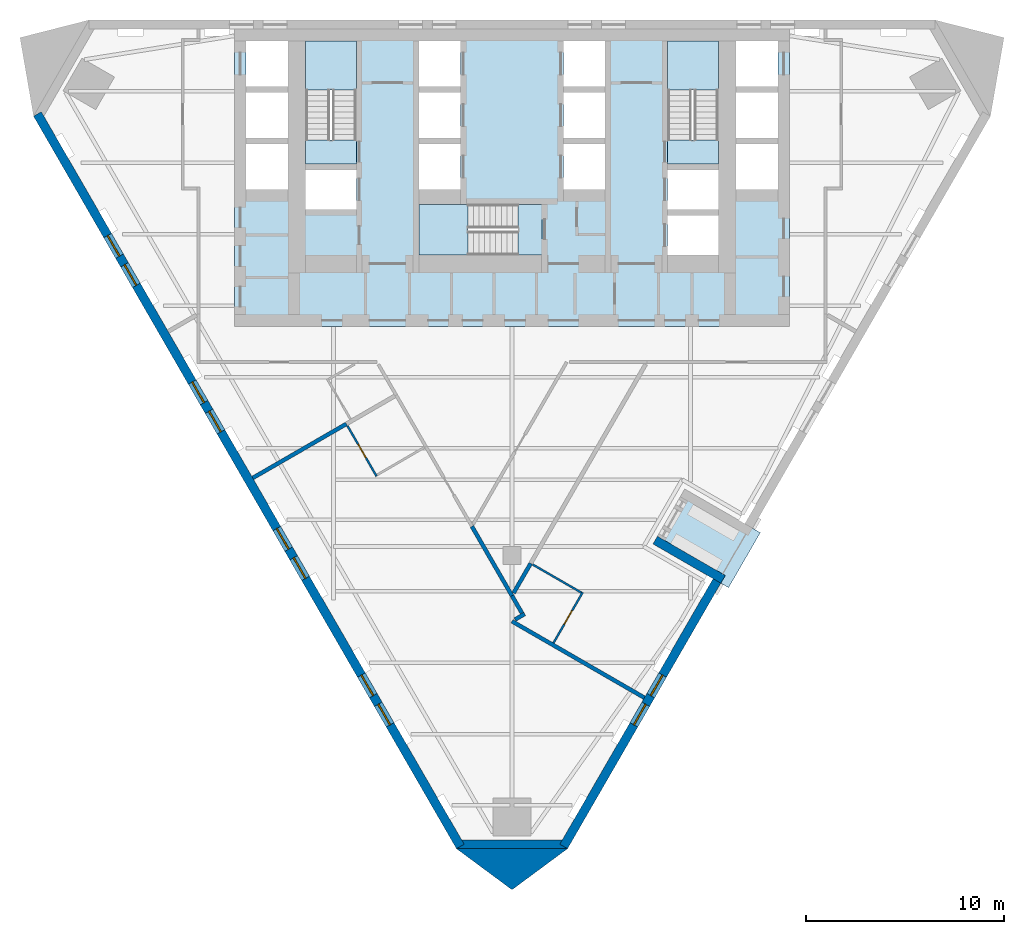
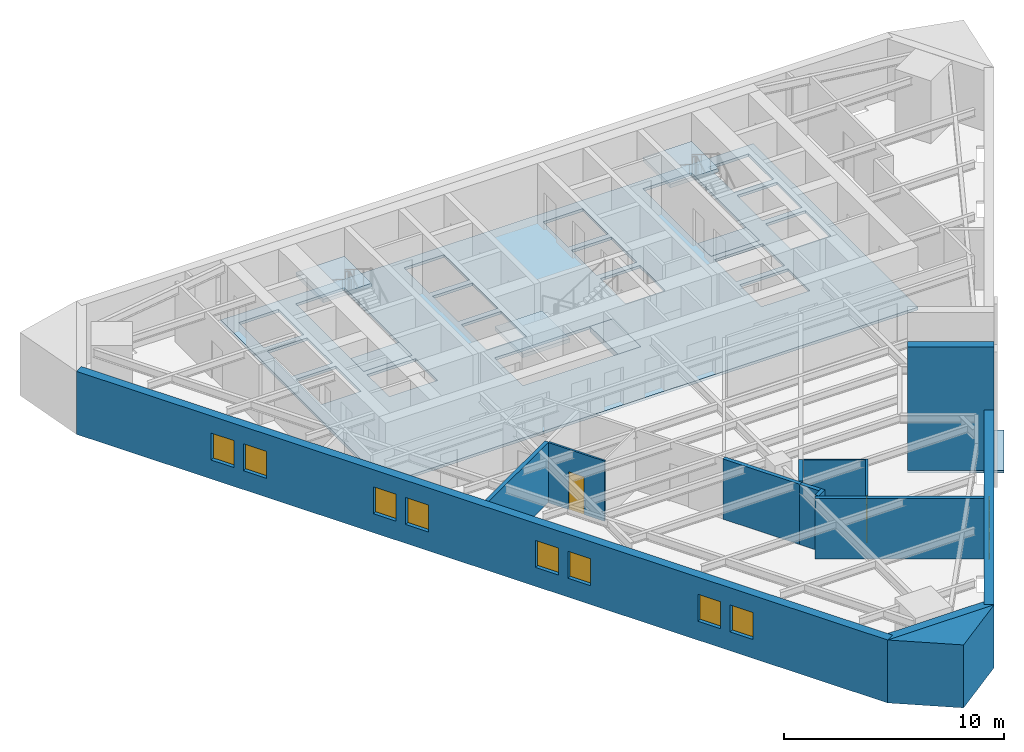
# One storey, part 2 of 7: 14 walls, 10 windows, 8 slabs, 2 doors, 12 openings, 3 elements without a shape of their own.
"""IFC4 building model written with IfcOpenShell, lengths in metres."""

from ifc_helpers import new_model, si_unit, direction, frame, frame_2d, origin, place, context, subcontext, project, spatial, polyline, rectangle, outline, extrude, material, layer, layer_set, type_object, element, fill, aggregate, save


model = new_model("IFC4")

# Units and contexts
model_context = context("Model", 3, precision=1e-05, world=origin(), true_north=direction((0.0, 1.0)))
body_context = subcontext(model_context, "Body", "Model", "MODEL_VIEW")
ifc_project = project(units=[si_unit("LENGTHUNIT", "METRE"), si_unit("AREAUNIT", "SQUARE_METRE"), si_unit("VOLUMEUNIT", "CUBIC_METRE"), si_unit("PLANEANGLEUNIT", "RADIAN"), si_unit("MASSUNIT", "GRAM", prefix="KILO")], contexts=[model_context])

# Site, building, storey
site_placement = place(None, origin())
site = spatial("IfcSite", under=ifc_project, at=site_placement, CompositionType="ELEMENT")
building_placement = place(site_placement, origin())
building = spatial("IfcBuilding", under=site, at=building_placement, Name="Aloe Facet Convention Tower", CompositionType="ELEMENT")
storey_placement = place(building_placement, frame((0.0, 0.0, 113.300048828125)))
storey = spatial("IfcBuildingStorey", under=building, at=storey_placement, Name="L28", CompositionType="ELEMENT", Elevation=113.300048828125)

# Slabs
ifc_material_1 = material(Name="Concrete C70/85", Category="concrete")
ifc_layer_1 = layer(ifc_material_1, 0.14990234375)
ifc_layer_set_1 = layer_set([ifc_layer_1], Name="CR-S-FLOOR150-C7085")
slab_type_1 = type_object("IfcSlabType", Name="CR-S-FLOOR150-C7085", PredefinedType="FLOOR", material=ifc_layer_set_1)
slab_1_placement = place(storey_placement, frame((0.0, 0.0, -0.150146484375)))
element("IfcSlab", 1, at=slab_1_placement, inside=storey, type_object=slab_type_1, Name="Core floor L28", PredefinedType="FLOOR", context=body_context, shape_type="SweptSolid", body=[
    extrude(outline(polyline([(69.300048828125, 134.550048828125), (71.85009765625, 134.550048828125), (72.75, 134.550048828125), (74.699951171875, 134.550048828125), (75.60009765625, 134.550048828125), (77.10009765625, 134.550048828125), (78.0, 134.550048828125), (82.0, 134.550048828125), (82.89990234375, 134.550048828125), (84.39990234375, 134.550048828125), (85.300048828125, 134.550048828125), (87.25, 134.550048828125), (88.14990234375, 134.550048828125), (90.699951171875, 134.550048828125), (91.0, 134.550048828125), (94.0, 134.550048828125), (94.0, 131.949951171875), (94.0, 131.050048828125), (94.0, 129.35009765625), (94.0, 128.449951171875), (94.0, 126.449951171875), (94.0, 125.85009765625), (94.0, 123.57373046875), (94.0, 122.523681640625), (94.0, 119.550048828125), (91.300048828125, 119.550048828125), (90.699951171875, 119.550048828125), (89.60009765625, 119.550048828125), (88.550048828125, 119.550048828125), (87.89990234375, 119.550048828125), (86.85009765625, 119.550048828125), (85.699951171875, 119.550048828125), (84.64990234375, 119.550048828125), (83.699951171875, 119.550048828125), (82.64990234375, 119.550048828125), (81.75, 119.550048828125), (80.699951171875, 119.550048828125), (79.61669921875, 119.550048828125), (78.566650390625, 119.550048828125), (77.4833984375, 119.550048828125), (76.433349609375, 119.550048828125), (75.35009765625, 119.550048828125), (74.300048828125, 119.550048828125), (73.14990234375, 119.550048828125), (72.10009765625, 119.550048828125), (69.300048828125, 119.550048828125), (68.699951171875, 119.550048828125), (66.0, 119.550048828125), (66.0, 121.5), (66.0, 122.550048828125), (66.0, 123.639404296875), (66.0, 124.689453125), (66.0, 125.85009765625), (66.0, 126.449951171875), (66.0, 128.449951171875), (66.0, 129.35009765625), (66.0, 131.050048828125), (66.0, 131.949951171875), (66.0, 134.550048828125), (69.0, 134.550048828125), (69.300048828125, 134.550048828125)]), holes=[polyline([(75.300048828125, 123.14990234375), (80.298828125, 123.14990234375), (81.5, 123.14990234375), (81.5, 125.699951171875), (80.298828125, 125.699951171875), (75.300048828125, 125.699951171875), (75.300048828125, 123.14990234375)]), polyline([(69.60009765625, 125.449951171875), (72.14990234375, 125.449951171875), (72.14990234375, 127.449951171875), (69.60009765625, 127.449951171875), (69.60009765625, 125.449951171875)]), polyline([(66.60009765625, 126.449951171875), (68.699951171875, 126.449951171875), (68.699951171875, 128.75), (66.60009765625, 128.75), (66.60009765625, 126.449951171875)]), polyline([(75.300048828125, 126.449951171875), (77.39990234375, 126.449951171875), (77.39990234375, 128.75), (75.300048828125, 128.75), (75.300048828125, 126.449951171875)]), polyline([(66.60009765625, 129.050048828125), (68.699951171875, 129.050048828125), (68.699951171875, 131.35009765625), (66.60009765625, 131.35009765625), (66.60009765625, 129.050048828125)]), polyline([(75.300048828125, 129.050048828125), (77.39990234375, 129.050048828125), (77.39990234375, 131.35009765625), (75.300048828125, 131.35009765625), (75.300048828125, 129.050048828125)]), polyline([(69.60009765625, 133.949951171875), (69.60009765625, 128.951171875), (69.60009765625, 127.75), (72.14990234375, 127.75), (72.14990234375, 128.951171875), (72.14990234375, 133.949951171875), (69.60009765625, 133.949951171875)]), polyline([(66.60009765625, 133.949951171875), (66.60009765625, 131.64990234375), (68.699951171875, 131.64990234375), (68.699951171875, 133.949951171875), (66.60009765625, 133.949951171875)]), polyline([(75.300048828125, 133.949951171875), (75.300048828125, 131.64990234375), (77.39990234375, 131.64990234375), (77.39990234375, 133.949951171875), (75.300048828125, 133.949951171875)]), polyline([(87.85009765625, 123.14990234375), (90.39990234375, 123.14990234375), (90.39990234375, 125.14990234375), (87.85009765625, 125.14990234375), (87.85009765625, 123.14990234375)]), polyline([(87.85009765625, 125.449951171875), (90.39990234375, 125.449951171875), (90.39990234375, 127.449951171875), (87.85009765625, 127.449951171875), (87.85009765625, 125.449951171875)]), polyline([(82.60009765625, 126.449951171875), (84.699951171875, 126.449951171875), (84.699951171875, 128.75), (82.60009765625, 128.75), (82.60009765625, 126.449951171875)]), polyline([(91.300048828125, 126.449951171875), (93.39990234375, 126.449951171875), (93.39990234375, 128.75), (91.300048828125, 128.75), (91.300048828125, 126.449951171875)]), polyline([(82.60009765625, 129.050048828125), (84.699951171875, 129.050048828125), (84.699951171875, 131.35009765625), (82.60009765625, 131.35009765625), (82.60009765625, 129.050048828125)]), polyline([(91.300048828125, 129.050048828125), (93.39990234375, 129.050048828125), (93.39990234375, 131.35009765625), (91.300048828125, 131.35009765625), (91.300048828125, 129.050048828125)]), polyline([(87.85009765625, 133.949951171875), (87.85009765625, 128.951171875), (87.85009765625, 127.75), (90.39990234375, 127.75), (90.39990234375, 128.951171875), (90.39990234375, 133.949951171875), (87.85009765625, 133.949951171875)]), polyline([(82.60009765625, 133.949951171875), (82.60009765625, 131.64990234375), (84.699951171875, 131.64990234375), (84.699951171875, 133.949951171875), (82.60009765625, 133.949951171875)]), polyline([(91.300048828125, 133.949951171875), (91.300048828125, 131.64990234375), (93.39990234375, 131.64990234375), (93.39990234375, 133.949951171875), (91.300048828125, 133.949951171875)])]), origin(), (0.0, 0.0, 1.0), 0.150146484375),
])
ifc_material_2 = material(Name="Concrete C70/85", Category="concrete")
ifc_layer_2 = layer(ifc_material_2, 0.300048828125)
ifc_layer_set_2 = layer_set([ifc_layer_2], Name="CR-S-FLOOR300-C7085")
slab_type_2 = type_object("IfcSlabType", Name="CR-S-FLOOR300-C7085", PredefinedType="FLOOR", material=ifc_layer_set_2)
slab_2_placement = place(storey_placement, frame((0.0, 0.0, -0.300048828125)))
element("IfcSlab", 2, at=slab_2_placement, inside=storey, type_object=slab_type_2, Name="Stair landing floor L28", PredefinedType="FLOOR", context=body_context, shape_type="SweptSolid", body=[
    extrude(outline(polyline([(72.14990234375, 127.75), (72.14990234375, 128.951171875), (69.60009765625, 128.951171875), (69.60009765625, 127.75), (72.14990234375, 127.75)])), origin(), (0.0, 0.0, 1.0), 0.300048828125),
])
slab_3_placement = place(storey_placement, frame((0.0, 0.0, -0.300048828125)))
element("IfcSlab", 3, at=slab_3_placement, inside=storey, type_object=slab_type_2, Name="Stair landing floor L28", PredefinedType="FLOOR", context=body_context, shape_type="SweptSolid", body=[
    extrude(outline(polyline([(90.39990234375, 127.75), (90.39990234375, 128.951171875), (87.85009765625, 128.951171875), (87.85009765625, 127.75), (90.39990234375, 127.75)])), origin(), (0.0, 0.0, 1.0), 0.300048828125),
])
slab_4_placement = place(storey_placement, frame((0.0, 0.0, -0.300048828125)))
element("IfcSlab", 4, at=slab_4_placement, inside=storey, type_object=slab_type_2, Name="Stair landing floor L28", PredefinedType="FLOOR", context=body_context, shape_type="SweptSolid", body=[
    extrude(outline(polyline([(81.5, 125.699951171875), (80.298828125, 125.699951171875), (80.298828125, 123.14990234375), (81.5, 123.14990234375), (81.5, 125.699951171875)])), origin(), (0.0, 0.0, 1.0), 0.300048828125),
])

# Stair, slab
ifc_material_3 = material(Name="Concrete C50/60", Category="concrete")
stair_type = type_object("IfcStairType", Name="CR-ST-20R", PredefinedType="HALF_TURN_STAIR", material=ifc_material_3)
stair_1_placement = place(storey_placement, origin())
stair_1 = element("IfcStair", 5, at=stair_1_placement, inside=storey, type_object=stair_type, Name="L28 Protected exit stair ST1", PredefinedType="HALF_TURN_STAIR")
ifc_material_4 = material(Name="Concrete C50/60", Category="concrete")
ifc_layer_3 = layer(ifc_material_4, 0.199951171875)
ifc_layer_set_3 = layer_set([ifc_layer_3], Name="CR-SL-LANDING")
slab_type_3 = type_object("IfcSlabType", Name="CR-SL-LANDING", PredefinedType="LANDING", material=ifc_layer_set_3)
slab_5_placement = place(storey_placement, frame((0.0, 0.0, 1.550048828125)))
slab_5 = element("IfcSlab", 6, at=slab_5_placement, type_object=slab_type_3, Name="ST1 landing 1", PredefinedType="LANDING", context=body_context, shape_type="SweptSolid", body=[
    extrude(outline(polyline([(72.14990234375, 131.469970703125), (72.14990234375, 133.949951171875), (69.60009765625, 133.949951171875), (69.60009765625, 131.469970703125), (72.14990234375, 131.469970703125)])), origin(), (0.0, 0.0, 1.0), 0.199951171875),
])
aggregate(stair_1, [slab_5])

stair_2_placement = place(storey_placement, origin())
stair_2 = element("IfcStair", 7, at=stair_2_placement, inside=storey, type_object=stair_type, Name="L28 Protected exit stair ST2", PredefinedType="HALF_TURN_STAIR")
slab_6_placement = place(storey_placement, frame((0.0, 0.0, 1.550048828125)))
slab_6 = element("IfcSlab", 8, at=slab_6_placement, type_object=slab_type_3, Name="ST2 landing 1", PredefinedType="LANDING", context=body_context, shape_type="SweptSolid", body=[
    extrude(outline(polyline([(90.39990234375, 131.469970703125), (90.39990234375, 133.949951171875), (87.85009765625, 133.949951171875), (87.85009765625, 131.469970703125), (90.39990234375, 131.469970703125)])), origin(), (0.0, 0.0, 1.0), 0.199951171875),
])
aggregate(stair_2, [slab_6])

stair_3_placement = place(storey_placement, origin())
stair_3 = element("IfcStair", 9, at=stair_3_placement, inside=storey, type_object=stair_type, Name="L28 Protected exit stair ST3", PredefinedType="HALF_TURN_STAIR")
slab_7_placement = place(storey_placement, frame((0.0, 0.0, 1.550048828125)))
slab_7 = element("IfcSlab", 10, at=slab_7_placement, type_object=slab_type_3, Name="ST3 landing 1", PredefinedType="LANDING", context=body_context, shape_type="SweptSolid", body=[
    extrude(outline(polyline([(77.780029296875, 125.699951171875), (75.300048828125, 125.699951171875), (75.300048828125, 123.14990234375), (77.780029296875, 123.14990234375), (77.780029296875, 125.699951171875)])), origin(), (0.0, 0.0, 1.0), 0.199951171875),
])
aggregate(stair_3, [slab_7])

# Slab
ifc_material_5 = material(Name="Concrete C35/45", Category="concrete")
ifc_layer_4 = layer(ifc_material_5, 0.14990234375)
ifc_layer_set_4 = layer_set([ifc_layer_4], Name="SF-TS-150")
slab_type_4 = type_object("IfcSlabType", Name="SF-TS-150", PredefinedType="FLOOR", material=ifc_layer_set_4)
slab_8_placement = place(storey_placement, frame((0.0, 0.0, -0.150146484375)))
element("IfcSlab", 11, at=slab_8_placement, inside=storey, type_object=slab_type_4, Name="Terrace slab T06", PredefinedType="FLOOR", context=body_context, shape_type="SweptSolid", body=[
    extrude(outline(polyline([(90.918212890625, 106.381591796875), (87.10791015625, 108.58154296875), (88.707763671875, 111.352783203125), (92.518310546875, 109.15283203125), (90.918212890625, 106.381591796875)])), origin(), (0.0, 0.0, 1.0), 0.150146484375),
])

# Walls
ifc_material_6 = material(Name="Precast concrete C40/50", Category="concrete")
ifc_layer_5 = layer(ifc_material_6, 0.449951171875)
ifc_layer_set_5 = layer_set([ifc_layer_5], Name="EV-WALL-PIER")
wall_type_1 = type_object("IfcWallType", Name="EV-WALL-PIER", PredefinedType="SOLIDWALL", material=ifc_layer_set_5)
wall_1_placement = place(storey_placement, frame((0.0, 0.0, -0.150146484375)))
element("IfcWall", 12, at=wall_1_placement, inside=storey, type_object=wall_type_1, Name="EP-L28-B", PredefinedType="SOLIDWALL", context=body_context, shape_type="SweptSolid", body=[
    extrude(outline(polyline([(77.199951171875, 93.22021484375), (77.589599609375, 93.4453125), (77.459716796875, 93.670166015625), (82.540283203125, 93.670166015625), (82.410400390625, 93.4453125), (82.800048828125, 93.22021484375), (77.199951171875, 93.22021484375)])), origin(), (0.0, 0.0, 1.0), 3.5),
])
ifc_material_7 = material(Name="Precast concrete C40/50", Category="concrete")
ifc_layer_6 = layer(ifc_material_7, 3.947998046875)
ifc_layer_set_6 = layer_set([ifc_layer_6], Name="EV-WALL-SPINE")
wall_type_2 = type_object("IfcWallType", Name="EV-WALL-SPINE", PredefinedType="SOLIDWALL", material=ifc_layer_set_6)
wall_2_placement = place(storey_placement, frame((0.0, 0.0, -0.150146484375)))
element("IfcWall", 13, at=wall_2_placement, inside=storey, type_object=wall_type_2, Name="SP-S-L28", PredefinedType="SOLIDWALL", context=body_context, shape_type="SweptSolid", body=[
    extrude(outline(polyline([(77.199951171875, 93.22021484375), (80.0, 91.1484375), (82.800048828125, 93.22021484375), (77.199951171875, 93.22021484375)])), origin(), (0.0, 0.0, 1.0), 3.5),
])

# Wall, openings, windows
ifc_material_8 = material(Name="Precast concrete C40/50", Category="concrete")
ifc_layer_7 = layer(ifc_material_8, 0.449951171875)
ifc_layer_set_7 = layer_set([ifc_layer_7], Name="EV-WALL-STONE")
wall_type_3 = type_object("IfcWallType", Name="EV-WALL-STONE", PredefinedType="SOLIDWALL", material=ifc_layer_set_7)
wall_3_placement = place(storey_placement, frame((56.0732421875, 130.2626953125, -0.150146484375), z_axis=(0.0, 0.0, 1.0), x_axis=(0.500000478905, -0.866025127289, 0.0)))
wall_3 = element("IfcWall", 14, at=wall_3_placement, inside=storey, type_object=wall_type_3, Name="EW-L28-W01", PredefinedType="SOLIDWALL", context=body_context, shape_type="SweptSolid", body=[
    extrude(outline(polyline([(42.64306640625, 0.0), (42.64306640625, 3.5), (0.0, 3.5), (0.0, 0.0), (42.64306640625, 0.0)])), frame((0.0, 0.22509765625, 0.0), z_axis=(0.0, -1.0, 0.0), x_axis=(1.0, 0.0, 0.0)), (0.0, 0.0, 1.0), 0.449951171875),
])
opening_1_placement = place(wall_3_placement, frame((7.07861328125, 0.0, 1.050048828125)))
opening_1 = element("IfcOpeningElement", 15, at=opening_1_placement, cuts=wall_3, Name="Opening W-L28-W01", PredefinedType="OPENING", context=body_context, shape_type="SweptSolid", body=[
    extrude(rectangle(XDim=1.199951171875, YDim=1.5, at=frame_2d((0.60009765625, 0.75))), frame((0.0, 0.23486328125, 0.0), z_axis=(0.0, -1.0, 0.0), x_axis=(1.0, 0.0, 0.0)), (0.0, 0.0, 1.0), 0.469970703125),
])
opening_2_placement = place(wall_3_placement, frame((8.778564453125, 0.0, 1.050048828125)))
opening_2 = element("IfcOpeningElement", 16, at=opening_2_placement, cuts=wall_3, Name="Opening W-L28-W02", PredefinedType="OPENING", context=body_context, shape_type="SweptSolid", body=[
    extrude(rectangle(XDim=1.199951171875, YDim=1.5, at=frame_2d((0.60009765625, 0.75))), frame((0.0, 0.23486328125, 0.0), z_axis=(0.0, -1.0, 0.0), x_axis=(1.0, 0.0, 0.0)), (0.0, 0.0, 1.0), 0.469970703125),
])
opening_3_placement = place(wall_3_placement, frame((15.607177734375, 0.0, 1.050048828125)))
opening_3 = element("IfcOpeningElement", 17, at=opening_3_placement, cuts=wall_3, Name="Opening W-L28-W03", PredefinedType="OPENING", context=body_context, shape_type="SweptSolid", body=[
    extrude(rectangle(XDim=1.199951171875, YDim=1.5, at=frame_2d((0.60009765625, 0.75))), frame((0.0, 0.23486328125, 0.0), z_axis=(0.0, -1.0, 0.0), x_axis=(1.0, 0.0, 0.0)), (0.0, 0.0, 1.0), 0.469970703125),
])
opening_4_placement = place(wall_3_placement, frame((17.30712890625, 0.0, 1.050048828125)))
opening_4 = element("IfcOpeningElement", 18, at=opening_4_placement, cuts=wall_3, Name="Opening W-L28-W04", PredefinedType="OPENING", context=body_context, shape_type="SweptSolid", body=[
    extrude(rectangle(XDim=1.199951171875, YDim=1.5, at=frame_2d((0.60009765625, 0.75))), frame((0.0, 0.23486328125, 0.0), z_axis=(0.0, -1.0, 0.0), x_axis=(1.0, 0.0, 0.0)), (0.0, 0.0, 1.0), 0.469970703125),
])
opening_5_placement = place(wall_3_placement, frame((24.1357421875, 0.0, 1.050048828125)))
opening_5 = element("IfcOpeningElement", 19, at=opening_5_placement, cuts=wall_3, Name="Opening W-L28-W05", PredefinedType="OPENING", context=body_context, shape_type="SweptSolid", body=[
    extrude(rectangle(XDim=1.199951171875, YDim=1.5, at=frame_2d((0.60009765625, 0.75))), frame((0.0, 0.23486328125, 0.0), z_axis=(0.0, -1.0, 0.0), x_axis=(1.0, 0.0, 0.0)), (0.0, 0.0, 1.0), 0.469970703125),
])
opening_6_placement = place(wall_3_placement, frame((25.8359375, 0.0, 1.050048828125)))
opening_6 = element("IfcOpeningElement", 20, at=opening_6_placement, cuts=wall_3, Name="Opening W-L28-W06", PredefinedType="OPENING", context=body_context, shape_type="SweptSolid", body=[
    extrude(rectangle(XDim=1.199951171875, YDim=1.5, at=frame_2d((0.60009765625, 0.75))), frame((0.0, 0.23486328125, 0.0), z_axis=(0.0, -1.0, 0.0), x_axis=(1.0, 0.0, 0.0)), (0.0, 0.0, 1.0), 0.469970703125),
])
opening_7_placement = place(wall_3_placement, frame((32.66455078125, 0.0, 1.050048828125)))
opening_7 = element("IfcOpeningElement", 21, at=opening_7_placement, cuts=wall_3, Name="Opening W-L28-W07", PredefinedType="OPENING", context=body_context, shape_type="SweptSolid", body=[
    extrude(rectangle(XDim=1.199951171875, YDim=1.5, at=frame_2d((0.60009765625, 0.75))), frame((0.0, 0.23486328125, 0.0), z_axis=(0.0, -1.0, 0.0), x_axis=(1.0, 0.0, 0.0)), (0.0, 0.0, 1.0), 0.469970703125),
])
opening_8_placement = place(wall_3_placement, frame((34.364501953125, 0.0, 1.050048828125)))
opening_8 = element("IfcOpeningElement", 22, at=opening_8_placement, cuts=wall_3, Name="Opening W-L28-W08", PredefinedType="OPENING", context=body_context, shape_type="SweptSolid", body=[
    extrude(rectangle(XDim=1.199951171875, YDim=1.5, at=frame_2d((0.60009765625, 0.75))), frame((0.0, 0.23486328125, 0.0), z_axis=(0.0, -1.0, 0.0), x_axis=(1.0, 0.0, 0.0)), (0.0, 0.0, 1.0), 0.469970703125),
])
ifc_material_9 = material(Name="Aluminium frame, clear double glazing", Category="aluminium")
window_type = type_object("IfcWindowType", Name="EV-WIN-H12", PartitioningType="SINGLE_PANEL", PredefinedType="WINDOW", material=ifc_material_9)
window_1_placement = place(opening_1_placement, origin())
window_1 = element("IfcWindow", 23, at=window_1_placement, inside=storey, type_object=window_type, Name="W-L28-W01", OverallHeight=1.5, OverallWidth=1.199951171875, PartitioningType="SINGLE_PANEL", PredefinedType="WINDOW", context=body_context, shape_type="SweptSolid", body=[
    extrude(rectangle(XDim=1.199951171875, YDim=1.5, at=frame_2d((0.60009765625, 0.75))), frame((0.0, 0.030029296875, 0.0), z_axis=(0.0, -1.0, 0.0), x_axis=(1.0, 0.0, 0.0)), (0.0, 0.0, 1.0), 0.06005859375),
])
fill(opening_1, window_1)
window_2_placement = place(opening_2_placement, origin())
window_2 = element("IfcWindow", 24, at=window_2_placement, inside=storey, type_object=window_type, Name="W-L28-W02", OverallHeight=1.5, OverallWidth=1.199951171875, PartitioningType="SINGLE_PANEL", PredefinedType="WINDOW", context=body_context, shape_type="SweptSolid", body=[
    extrude(rectangle(XDim=1.199951171875, YDim=1.5, at=frame_2d((0.60009765625, 0.75))), frame((0.0, 0.030029296875, 0.0), z_axis=(0.0, -1.0, 0.0), x_axis=(1.0, 0.0, 0.0)), (0.0, 0.0, 1.0), 0.06005859375),
])
fill(opening_2, window_2)
window_3_placement = place(opening_3_placement, origin())
window_3 = element("IfcWindow", 25, at=window_3_placement, inside=storey, type_object=window_type, Name="W-L28-W03", OverallHeight=1.5, OverallWidth=1.199951171875, PartitioningType="SINGLE_PANEL", PredefinedType="WINDOW", context=body_context, shape_type="SweptSolid", body=[
    extrude(rectangle(XDim=1.199951171875, YDim=1.5, at=frame_2d((0.60009765625, 0.75))), frame((0.0, 0.030029296875, 0.0), z_axis=(0.0, -1.0, 0.0), x_axis=(1.0, 0.0, 0.0)), (0.0, 0.0, 1.0), 0.06005859375),
])
fill(opening_3, window_3)
window_4_placement = place(opening_4_placement, origin())
window_4 = element("IfcWindow", 26, at=window_4_placement, inside=storey, type_object=window_type, Name="W-L28-W04", OverallHeight=1.5, OverallWidth=1.199951171875, PartitioningType="SINGLE_PANEL", PredefinedType="WINDOW", context=body_context, shape_type="SweptSolid", body=[
    extrude(rectangle(XDim=1.199951171875, YDim=1.5, at=frame_2d((0.60009765625, 0.75))), frame((0.0, 0.030029296875, 0.0), z_axis=(0.0, -1.0, 0.0), x_axis=(1.0, 0.0, 0.0)), (0.0, 0.0, 1.0), 0.06005859375),
])
fill(opening_4, window_4)
window_5_placement = place(opening_5_placement, origin())
window_5 = element("IfcWindow", 27, at=window_5_placement, inside=storey, type_object=window_type, Name="W-L28-W05", OverallHeight=1.5, OverallWidth=1.199951171875, PartitioningType="SINGLE_PANEL", PredefinedType="WINDOW", context=body_context, shape_type="SweptSolid", body=[
    extrude(rectangle(XDim=1.199951171875, YDim=1.5, at=frame_2d((0.60009765625, 0.75))), frame((0.0, 0.030029296875, 0.0), z_axis=(0.0, -1.0, 0.0), x_axis=(1.0, 0.0, 0.0)), (0.0, 0.0, 1.0), 0.06005859375),
])
fill(opening_5, window_5)
window_6_placement = place(opening_6_placement, origin())
window_6 = element("IfcWindow", 28, at=window_6_placement, inside=storey, type_object=window_type, Name="W-L28-W06", OverallHeight=1.5, OverallWidth=1.199951171875, PartitioningType="SINGLE_PANEL", PredefinedType="WINDOW", context=body_context, shape_type="SweptSolid", body=[
    extrude(rectangle(XDim=1.199951171875, YDim=1.5, at=frame_2d((0.60009765625, 0.75))), frame((0.0, 0.030029296875, 0.0), z_axis=(0.0, -1.0, 0.0), x_axis=(1.0, 0.0, 0.0)), (0.0, 0.0, 1.0), 0.06005859375),
])
fill(opening_6, window_6)
window_7_placement = place(opening_7_placement, origin())
window_7 = element("IfcWindow", 29, at=window_7_placement, inside=storey, type_object=window_type, Name="W-L28-W07", OverallHeight=1.5, OverallWidth=1.199951171875, PartitioningType="SINGLE_PANEL", PredefinedType="WINDOW", context=body_context, shape_type="SweptSolid", body=[
    extrude(rectangle(XDim=1.199951171875, YDim=1.5, at=frame_2d((0.60009765625, 0.75))), frame((0.0, 0.030029296875, 0.0), z_axis=(0.0, -1.0, 0.0), x_axis=(1.0, 0.0, 0.0)), (0.0, 0.0, 1.0), 0.06005859375),
])
fill(opening_7, window_7)
window_8_placement = place(opening_8_placement, origin())
window_8 = element("IfcWindow", 30, at=window_8_placement, inside=storey, type_object=window_type, Name="W-L28-W08", OverallHeight=1.5, OverallWidth=1.199951171875, PartitioningType="SINGLE_PANEL", PredefinedType="WINDOW", context=body_context, shape_type="SweptSolid", body=[
    extrude(rectangle(XDim=1.199951171875, YDim=1.5, at=frame_2d((0.60009765625, 0.75))), frame((0.0, 0.030029296875, 0.0), z_axis=(0.0, -1.0, 0.0), x_axis=(1.0, 0.0, 0.0)), (0.0, 0.0, 1.0), 0.06005859375),
])
fill(opening_8, window_8)

wall_4_placement = place(storey_placement, frame((82.605224609375, 93.332763671875, -0.150146484375), z_axis=(0.0, 0.0, 1.0), x_axis=(0.499991795389, 0.866030140667, 0.0)))
wall_4 = element("IfcWall", 31, at=wall_4_placement, inside=storey, type_object=wall_type_3, Name="EW-L28-E01", PredefinedType="SOLIDWALL", context=body_context, shape_type="SweptSolid", body=[
    extrude(outline(polyline([(0.0, 0.0), (0.0, 3.5), (15.457275390625, 3.5), (15.457275390625, 0.0), (0.0, 0.0)])), frame((0.0, 0.22509765625, 0.0), z_axis=(0.0, -1.0, 0.0), x_axis=(1.0, 0.0, 0.0)), (0.0, 0.0, 1.0), 0.449951171875),
])
opening_9_placement = place(wall_4_placement, frame((7.07861328125, 0.0, 1.050048828125)))
opening_9 = element("IfcOpeningElement", 32, at=opening_9_placement, cuts=wall_4, Name="Opening W-L28-E01", PredefinedType="OPENING", context=body_context, shape_type="SweptSolid", body=[
    extrude(rectangle(XDim=1.199951171875, YDim=1.5, at=frame_2d((0.60009765625, 0.75))), frame((0.0, 0.23486328125, 0.0), z_axis=(0.0, -1.0, 0.0), x_axis=(1.0, 0.0, 0.0)), (0.0, 0.0, 1.0), 0.469970703125),
])
opening_10_placement = place(wall_4_placement, frame((8.778564453125, 0.0, 1.050048828125)))
opening_10 = element("IfcOpeningElement", 33, at=opening_10_placement, cuts=wall_4, Name="Opening W-L28-E02", PredefinedType="OPENING", context=body_context, shape_type="SweptSolid", body=[
    extrude(rectangle(XDim=1.199951171875, YDim=1.5, at=frame_2d((0.60009765625, 0.75))), frame((0.0, 0.23486328125, 0.0), z_axis=(0.0, -1.0, 0.0), x_axis=(1.0, 0.0, 0.0)), (0.0, 0.0, 1.0), 0.469970703125),
])
window_9_placement = place(opening_9_placement, origin())
window_9 = element("IfcWindow", 34, at=window_9_placement, inside=storey, type_object=window_type, Name="W-L28-E01", OverallHeight=1.5, OverallWidth=1.199951171875, PartitioningType="SINGLE_PANEL", PredefinedType="WINDOW", context=body_context, shape_type="SweptSolid", body=[
    extrude(rectangle(XDim=1.199951171875, YDim=1.5, at=frame_2d((0.60009765625, 0.75))), frame((0.0, 0.030029296875, 0.0), z_axis=(0.0, -1.0, 0.0), x_axis=(1.0, 0.0, 0.0)), (0.0, 0.0, 1.0), 0.06005859375),
])
fill(opening_9, window_9)
window_10_placement = place(opening_10_placement, origin())
window_10 = element("IfcWindow", 35, at=window_10_placement, inside=storey, type_object=window_type, Name="W-L28-E02", OverallHeight=1.5, OverallWidth=1.199951171875, PartitioningType="SINGLE_PANEL", PredefinedType="WINDOW", context=body_context, shape_type="SweptSolid", body=[
    extrude(rectangle(XDim=1.199951171875, YDim=1.5, at=frame_2d((0.60009765625, 0.75))), frame((0.0, 0.030029296875, 0.0), z_axis=(0.0, -1.0, 0.0), x_axis=(1.0, 0.0, 0.0)), (0.0, 0.0, 1.0), 0.06005859375),
])
fill(opening_10, window_10)

# Wall
wall_5_placement = place(storey_placement, frame((90.64111328125, 106.801513671875, 0.0), z_axis=(0.0, 0.0, 1.0), x_axis=(-0.866047669374, 0.499961432884, 0.0)))
element("IfcWall", 36, at=wall_5_placement, inside=storey, type_object=wall_type_3, Name="TW-T06-1", PredefinedType="SOLIDWALL", context=body_context, shape_type="SweptSolid", body=[
    extrude(rectangle(XDim=3.949951171875, YDim=0.449951171875, at=frame_2d((1.97509765625, 0.0))), origin(), (0.0, 0.0, 1.0), 6.849853515625),
])

# Wall, opening, door
ifc_material_10 = material(Name="Gypsum board partition on steel studs", Category="steel")
ifc_layer_8 = layer(ifc_material_10, 0.10009765625)
ifc_layer_set_8 = layer_set([ifc_layer_8], Name="IN-W-PART")
wall_type_4 = type_object("IfcWallType", Name="IN-W-PART", PredefinedType="PARTITIONING", material=ifc_layer_set_8)
wall_6_placement = place(storey_placement, frame((82.09130859375, 103.5927734375, 0.0), z_axis=(0.0, 0.0, 1.0), x_axis=(0.500001826776, 0.866024349092, 0.0)))
wall_6 = element("IfcWall", 37, at=wall_6_placement, inside=storey, type_object=wall_type_4, Name="Partition L28-W009", PredefinedType="PARTITIONING", context=body_context, shape_type="SweptSolid", body=[
    extrude(rectangle(XDim=2.9501953125, YDim=0.10009765625, at=frame_2d((1.47509765625, 0.0))), origin(), (0.0, 0.0, 1.0), 3.349853515625),
])
opening_11_placement = place(wall_6_placement, frame((1.074951171875, 0.0, 0.0)))
opening_11 = element("IfcOpeningElement", 38, at=opening_11_placement, cuts=wall_6, Name="Opening L28-009", PredefinedType="OPENING", context=body_context, shape_type="SweptSolid", body=[
    extrude(rectangle(XDim=0.800048828125, YDim=2.10009765625, at=frame_2d((0.39990234375, 1.050048828125))), frame((0.0, 0.06005859375, 0.0), z_axis=(0.0, -1.0, 0.0), x_axis=(1.0, 0.0, 0.0)), (0.0, 0.0, 1.0), 0.1201171875),
])
ifc_material_11 = material(Name="Timber flush door", Category="wood")
door_type = type_object("IfcDoorType", Name="IN-D-BATH", OperationType="SINGLE_SWING_LEFT", PredefinedType="DOOR", material=ifc_material_11)
door_1_placement = place(opening_11_placement, origin())
door_1 = element("IfcDoor", 39, at=door_1_placement, inside=storey, type_object=door_type, Name="Door L28-009", OperationType="SINGLE_SWING_LEFT", OverallHeight=2.10009765625, OverallWidth=0.800048828125, PredefinedType="DOOR", context=body_context, shape_type="SweptSolid", body=[
    extrude(rectangle(XDim=0.800048828125, YDim=2.10009765625, at=frame_2d((0.39990234375, 1.050048828125))), frame((0.0, 0.02490234375, 0.0), z_axis=(0.0, -1.0, 0.0), x_axis=(1.0, 0.0, 0.0)), (0.0, 0.0, 1.0), 0.050048828125),
])
fill(opening_11, door_1)

# Wall
wall_7_placement = place(storey_placement, frame((81.03857421875, 107.54931640625, 0.0), z_axis=(0.0, 0.0, 1.0), x_axis=(0.866033839264, -0.499985389037, 0.0)))
element("IfcWall", 40, at=wall_7_placement, inside=storey, type_object=wall_type_4, Name="Partition L28-W010", PredefinedType="PARTITIONING", context=body_context, shape_type="SweptSolid", body=[
    extrude(rectangle(XDim=2.83984375, YDim=0.10009765625, at=frame_2d((1.419921875, 0.0))), origin(), (0.0, 0.0, 1.0), 3.349853515625),
])

# Wall, opening, door
wall_8_placement = place(storey_placement, frame((71.703857421875, 114.5400390625, 0.0), z_axis=(0.0, 0.0, 1.0), x_axis=(0.499988418424, -0.866032090307, 0.0)))
wall_8 = element("IfcWall", 41, at=wall_8_placement, inside=storey, type_object=wall_type_4, Name="Partition L28-W013", PredefinedType="PARTITIONING", context=body_context, shape_type="SweptSolid", body=[
    extrude(rectangle(XDim=2.93994140625, YDim=0.10009765625, at=frame_2d((1.469970703125, 0.0))), origin(), (0.0, 0.0, 1.0), 3.349853515625),
])
opening_12_placement = place(wall_8_placement, frame((1.070068359375, 0.0, 0.0)))
opening_12 = element("IfcOpeningElement", 42, at=opening_12_placement, cuts=wall_8, Name="Opening L28-008", PredefinedType="OPENING", context=body_context, shape_type="SweptSolid", body=[
    extrude(rectangle(XDim=0.800048828125, YDim=2.10009765625, at=frame_2d((0.39990234375, 1.050048828125))), frame((0.0, 0.06005859375, 0.0), z_axis=(0.0, -1.0, 0.0), x_axis=(1.0, 0.0, 0.0)), (0.0, 0.0, 1.0), 0.1201171875),
])
door_2_placement = place(opening_12_placement, origin())
door_2 = element("IfcDoor", 43, at=door_2_placement, inside=storey, type_object=door_type, Name="Door L28-008", OperationType="SINGLE_SWING_LEFT", OverallHeight=2.10009765625, OverallWidth=0.800048828125, PredefinedType="DOOR", context=body_context, shape_type="SweptSolid", body=[
    extrude(rectangle(XDim=0.800048828125, YDim=2.10009765625, at=frame_2d((0.39990234375, 1.050048828125))), frame((0.0, 0.02490234375, 0.0), z_axis=(0.0, -1.0, 0.0), x_axis=(1.0, 0.0, 0.0)), (0.0, 0.0, 1.0), 0.050048828125),
])
fill(opening_12, door_2)

# Walls
ifc_material_12 = material(Name="Gypsum board partition on steel studs", Category="steel")
ifc_layer_9 = layer(ifc_material_12, 0.199951171875)
ifc_layer_set_9 = layer_set([ifc_layer_9], Name="IN-W-PARTY")
wall_type_5 = type_object("IfcWallType", Name="IN-W-PARTY", PredefinedType="PARTITIONING", material=ifc_layer_set_9)
wall_9_placement = place(storey_placement, frame((80.0, 104.684814453125, 0.0), z_axis=(0.0, 0.0, 1.0), x_axis=(0.866027859193, -0.499995747083, 0.0)))
element("IfcWall", 44, at=wall_9_placement, inside=storey, type_object=wall_type_5, Name="Partition L28-W001", PredefinedType="PARTITIONING", context=body_context, shape_type="SweptSolid", body=[
    extrude(rectangle(XDim=7.70703125, YDim=0.199951171875, at=frame_2d((3.853515625, 0.0))), origin(), (0.0, 0.0, 1.0), 3.349853515625),
])
wall_10_placement = place(storey_placement, frame((80.14990234375, 104.771484375, 0.0), z_axis=(0.0, 0.0, 1.0), x_axis=(0.866149873562, 0.499784350024, 0.0)))
element("IfcWall", 45, at=wall_10_placement, inside=storey, type_object=wall_type_5, Name="Partition L28-W005", PredefinedType="PARTITIONING", context=body_context, shape_type="SweptSolid", body=[
    extrude(rectangle(XDim=0.569091796875, YDim=0.199951171875, at=frame_2d((0.28466796875, 0.0))), origin(), (0.0, 0.0, 1.0), 3.349853515625),
])
wall_11_placement = place(storey_placement, frame((80.0, 105.970458984375, 0.0), z_axis=(0.0, 0.0, 1.0), x_axis=(0.499567963903, -0.866274696295, 0.0)))
element("IfcWall", 46, at=wall_11_placement, inside=storey, type_object=wall_type_5, Name="Partition L28-W006", PredefinedType="PARTITIONING", context=body_context, shape_type="SweptSolid", body=[
    extrude(rectangle(XDim=1.00341796875, YDim=0.199951171875, at=frame_2d((0.501708984375, 0.0))), origin(), (0.0, 0.0, 1.0), 3.349853515625),
])
wall_12_placement = place(storey_placement, frame((80.080078125, 106.109130859375, 0.0), z_axis=(0.0, 0.0, 1.0), x_axis=(0.500032554596, 0.866006607564, 0.0)))
element("IfcWall", 47, at=wall_12_placement, inside=storey, type_object=wall_type_5, Name="Partition L28-W007", PredefinedType="PARTITIONING", context=body_context, shape_type="SweptSolid", body=[
    extrude(rectangle(XDim=1.7265625, YDim=0.199951171875, at=frame_2d((0.86328125, 0.0))), origin(), (0.0, 0.0, 1.0), 3.349853515625),
])
wall_13_placement = place(storey_placement, frame((77.979248046875, 109.470458984375, 0.0), z_axis=(0.0, 0.0, 1.0), x_axis=(0.50000482701, -0.866022616891, 0.0)))
element("IfcWall", 48, at=wall_13_placement, inside=storey, type_object=wall_type_5, Name="Partition L28-W008", PredefinedType="PARTITIONING", context=body_context, shape_type="SweptSolid", body=[
    extrude(rectangle(XDim=4.04150390625, YDim=0.199951171875, at=frame_2d((2.020751953125, 0.0))), origin(), (0.0, 0.0, 1.0), 3.349853515625),
])
wall_14_placement = place(storey_placement, frame((66.928955078125, 111.91015625, 0.0), z_axis=(0.0, 0.0, 1.0), x_axis=(0.866012511928, 0.500022328685, 0.0)))
element("IfcWall", 49, at=wall_14_placement, inside=storey, type_object=wall_type_5, Name="Partition L28-W012", PredefinedType="PARTITIONING", context=body_context, shape_type="SweptSolid", body=[
    extrude(rectangle(XDim=5.449951171875, YDim=0.199951171875, at=frame_2d((2.72509765625, 0.0))), origin(), (0.0, 0.0, 1.0), 3.349853515625),
])

save(model, "model.ifc")
